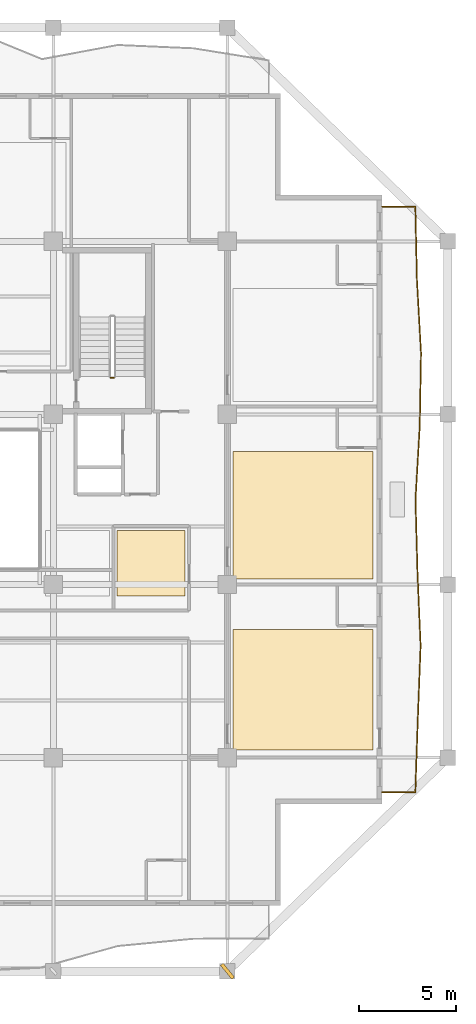
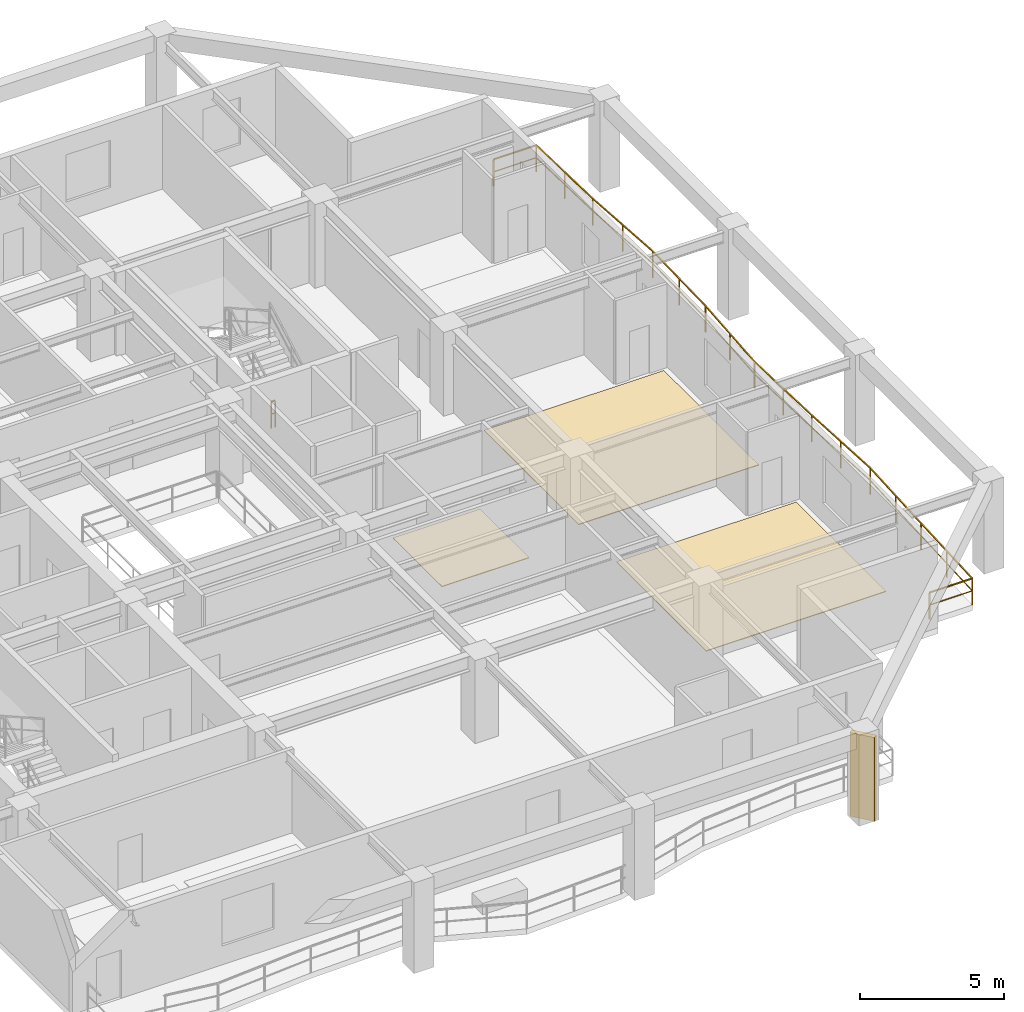
# One storey, part 9 of 12: 3 coverings, 2 railings, 1 shading device.
"""IFC4 building model written with IfcOpenShell, lengths in metres."""

from ifc_helpers import new_model, si_unit, direction, frame, origin, origin_2d, place, context, subcontext, project, spatial, polyline, rectangle, outline, extrude, material, layer, layer_set, type_object, element, save


model = new_model("IFC4")

# Units and contexts
model_context = context("Model", 3, precision=1e-05, world=origin(), true_north=direction((0.0, 1.0)))
body_context = subcontext(model_context, "Body", "Model", "MODEL_VIEW")
ifc_project = project(units=[si_unit("LENGTHUNIT", "METRE"), si_unit("AREAUNIT", "SQUARE_METRE"), si_unit("VOLUMEUNIT", "CUBIC_METRE"), si_unit("PLANEANGLEUNIT", "RADIAN"), si_unit("MASSUNIT", "GRAM", prefix="KILO")], contexts=[model_context])

# Site, building, storey
site_placement = place(None, origin())
site = spatial("IfcSite", under=ifc_project, at=site_placement, CompositionType="ELEMENT")
building_placement = place(site_placement, origin())
building = spatial("IfcBuilding", under=site, at=building_placement, Name="Kundavana Baori Tower", CompositionType="ELEMENT")
storey_placement = place(building_placement, frame((0.0, 0.0, 200.25)))
storey = spatial("IfcBuildingStorey", under=building, at=storey_placement, Name="L49", CompositionType="ELEMENT", Elevation=200.25)

# Coverings
ifc_material_1 = material(Name="Honed Kota Stone and Terrazzo Flooring", Category="masonry")
ifc_layer = layer(ifc_material_1, 0.030029296875, Name="COV-INT-FLR")
ifc_layer_set = layer_set([ifc_layer], Name="Honed Kota Stone and Terrazzo Flooring")
covering_type = type_object("IfcCoveringType", Name="COV-INT-FLR", PredefinedType="FLOORING", material=ifc_layer_set)
covering_1_placement = place(storey_placement, origin())
element("IfcCovering", 1, at=covering_1_placement, inside=storey, type_object=covering_type, Name="L49 Room Finished Stone Flooring 4", PredefinedType="FLOORING", context=body_context, shape_type="SweptSolid", body=[
    extrude(outline(polyline([(43.10009765625, 15.6298828125), (50.320068359375, 15.6298828125), (50.320068359375, 21.8701171875), (43.10009765625, 21.8701171875), (43.10009765625, 15.6298828125)])), origin(), (0.0, 0.0, 1.0), 0.030029296875),
])
covering_2_placement = place(storey_placement, origin())
element("IfcCovering", 2, at=covering_2_placement, inside=storey, type_object=covering_type, Name="L49 Room Finished Stone Flooring 5", PredefinedType="FLOORING", context=body_context, shape_type="SweptSolid", body=[
    extrude(outline(polyline([(43.10009765625, 24.47998046875), (50.320068359375, 24.47998046875), (50.320068359375, 31.070068359375), (43.10009765625, 31.070068359375), (43.10009765625, 24.47998046875)])), origin(), (0.0, 0.0, 1.0), 0.030029296875),
])
covering_3_placement = place(storey_placement, origin())
element("IfcCovering", 3, at=covering_3_placement, inside=storey, type_object=covering_type, Name="L49 Room Finished Stone Flooring 14", PredefinedType="FLOORING", context=body_context, shape_type="SweptSolid", body=[
    extrude(outline(polyline([(37.10009765625, 23.60009765625), (40.60009765625, 23.60009765625), (40.60009765625, 27.0), (37.10009765625, 27.0), (37.10009765625, 23.60009765625)])), origin(), (0.0, 0.0, 1.0), 0.030029296875),
])

# Railings
ifc_material_2 = material(Name="Architectural Patinated Bronze Metalwork")
railing_type_1 = type_object("IfcRailingType", Name="RL-BAL-1150", PredefinedType="BALUSTRADE", material=ifc_material_2)
railing_1_placement = place(storey_placement, frame((50.800048828125, 43.75, 0.0)))
element("IfcRailing", 4, at=railing_1_placement, inside=storey, type_object=railing_type_1, Name="L49 Loggia Balcony Balustrade E", PredefinedType="BALUSTRADE", context=body_context, shape_type="SweptSolid", body=[
    extrude(rectangle(XDim=0.048095703125, YDim=0.048095703125, at=origin_2d()), frame((0.0, 0.0, 1.1259765625), z_axis=(1.0, 0.0, 0.0), x_axis=(0.0, 1.0, 0.0)), (0.0, 0.0, 1.0), 1.719970703125),
    extrude(rectangle(XDim=0.03125, YDim=0.03125, at=origin_2d()), frame((0.0, 0.0, 0.597900390625), z_axis=(1.0, 0.0, 0.0), x_axis=(0.0, 1.0, 0.0)), (0.0, 0.0, 1.0), 1.719970703125),
    extrude(rectangle(XDim=0.048095703125, YDim=0.048095703125, at=origin_2d()), frame((1.719970703125, 0.0, 1.1259765625), z_axis=(0.022422821911, -0.999748576922, 0.0), x_axis=(0.999748576922, 0.022422821911, 0.0)), (0.0, 0.0, 1.0), 3.7890625),
    extrude(rectangle(XDim=0.03125, YDim=0.03125, at=origin_2d()), frame((1.719970703125, 0.0, 0.597900390625), z_axis=(0.022422821911, -0.999748576922, 0.0), x_axis=(0.999748576922, 0.022422821911, 0.0)), (0.0, 0.0, 1.0), 3.7890625),
    extrude(rectangle(XDim=0.048095703125, YDim=0.048095703125, at=origin_2d()), frame((1.804931640625, -3.7880859375, 1.1259765625), z_axis=(0.055872870187, -0.998437891096, 0.0), x_axis=(0.998437891096, 0.055872870187, 0.0)), (0.0, 0.0, 1.0), 3.792724609375),
    extrude(rectangle(XDim=0.03125, YDim=0.03125, at=origin_2d()), frame((1.804931640625, -3.7880859375, 0.597900390625), z_axis=(0.055872870187, -0.998437891096, 0.0), x_axis=(0.998437891096, 0.055872870187, 0.0)), (0.0, 0.0, 1.0), 3.792724609375),
    extrude(rectangle(XDim=0.048095703125, YDim=0.048095703125, at=origin_2d()), frame((2.016845703125, -7.574951171875, 1.1259765625), z_axis=(-0.017660989229, -0.999844032567, 0.0), x_axis=(0.999844032567, -0.017660989229, 0.0)), (0.0, 0.0, 1.0), 3.78759765625),
    extrude(rectangle(XDim=0.03125, YDim=0.03125, at=origin_2d()), frame((2.016845703125, -7.574951171875, 0.597900390625), z_axis=(-0.017660989229, -0.999844032567, 0.0), x_axis=(0.999844032567, -0.017660989229, 0.0)), (0.0, 0.0, 1.0), 3.78759765625),
    extrude(rectangle(XDim=0.048095703125, YDim=0.048095703125, at=origin_2d()), frame((1.949951171875, -11.362060546875, 1.1259765625), z_axis=(-0.057975155756, -0.99831802614, 0.0), x_axis=(0.99831802614, -0.057975155756, 0.0)), (0.0, 0.0, 1.0), 3.794189453125),
    extrude(rectangle(XDim=0.03125, YDim=0.03125, at=origin_2d()), frame((1.949951171875, -11.362060546875, 0.597900390625), z_axis=(-0.057975155756, -0.99831802614, 0.0), x_axis=(0.99831802614, -0.057975155756, 0.0)), (0.0, 0.0, 1.0), 3.794189453125),
    extrude(rectangle(XDim=0.048095703125, YDim=0.048095703125, at=origin_2d()), frame((1.72998046875, -15.14990234375, 1.1259765625), z_axis=(0.027445187549, -0.999623309892, 0.0), x_axis=(0.999623309892, 0.027445187549, 0.0)), (0.0, 0.0, 1.0), 3.78955078125),
    extrude(rectangle(XDim=0.03125, YDim=0.03125, at=origin_2d()), frame((1.72998046875, -15.14990234375, 0.597900390625), z_axis=(0.027445187549, -0.999623309892, 0.0), x_axis=(0.999623309892, 0.027445187549, 0.0)), (0.0, 0.0, 1.0), 3.78955078125),
    extrude(rectangle(XDim=0.048095703125, YDim=0.048095703125, at=origin_2d()), frame((1.833984375, -18.93798828125, 1.1259765625), z_axis=(0.042444953181, -0.9990988069, 0.0), x_axis=(0.9990988069, 0.042444953181, 0.0)), (0.0, 0.0, 1.0), 3.79052734375),
    extrude(rectangle(XDim=0.03125, YDim=0.03125, at=origin_2d()), frame((1.833984375, -18.93798828125, 0.597900390625), z_axis=(0.042444953181, -0.9990988069, 0.0), x_axis=(0.9990988069, 0.042444953181, 0.0)), (0.0, 0.0, 1.0), 3.79052734375),
    extrude(rectangle(XDim=0.048095703125, YDim=0.048095703125, at=origin_2d()), frame((1.994873046875, -22.72509765625, 1.1259765625), z_axis=(-0.03826735328, -0.999267536585, 0.0), x_axis=(0.999267536585, -0.03826735328, 0.0)), (0.0, 0.0, 1.0), 3.78955078125),
    extrude(rectangle(XDim=0.03125, YDim=0.03125, at=origin_2d()), frame((1.994873046875, -22.72509765625, 0.597900390625), z_axis=(-0.03826735328, -0.999267536585, 0.0), x_axis=(0.999267536585, -0.03826735328, 0.0)), (0.0, 0.0, 1.0), 3.78955078125),
    extrude(rectangle(XDim=0.048095703125, YDim=0.048095703125, at=origin_2d()), frame((1.849853515625, -26.511962890625, 1.1259765625), z_axis=(-0.034267050971, -0.999412712155, 0.0), x_axis=(0.999412712155, -0.034267050971, 0.0)), (0.0, 0.0, 1.0), 3.790283203125),
    extrude(rectangle(XDim=0.03125, YDim=0.03125, at=origin_2d()), frame((1.849853515625, -26.511962890625, 0.597900390625), z_axis=(-0.034267050971, -0.999412712155, 0.0), x_axis=(0.999412712155, -0.034267050971, 0.0)), (0.0, 0.0, 1.0), 3.790283203125),
    extrude(rectangle(XDim=0.048095703125, YDim=0.048095703125, at=origin_2d()), frame((1.719970703125, -30.300048828125, 1.1259765625), z_axis=(-1.0, 0.0, 0.0), x_axis=(0.0, -1.0, 0.0)), (0.0, 0.0, 1.0), 1.719970703125),
    extrude(rectangle(XDim=0.03125, YDim=0.03125, at=origin_2d()), frame((1.719970703125, -30.300048828125, 0.597900390625), z_axis=(-1.0, 0.0, 0.0), x_axis=(0.0, -1.0, 0.0)), (0.0, 0.0, 1.0), 1.719970703125),
    extrude(rectangle(XDim=0.0419921875, YDim=0.0419921875, at=origin_2d()), origin(), (0.0, 0.0, 1.0), 1.101806640625),
    extrude(rectangle(XDim=0.0419921875, YDim=0.0419921875, at=origin_2d()), frame((1.719970703125, 0.0, 0.0)), (0.0, 0.0, 1.0), 1.101806640625),
    extrude(rectangle(XDim=0.0419921875, YDim=0.0419921875, at=origin_2d()), frame((1.762451171875, -1.89404296875, 0.0)), (0.0, 0.0, 1.0), 1.101806640625),
    extrude(rectangle(XDim=0.0419921875, YDim=0.0419921875, at=origin_2d()), frame((1.804931640625, -3.7880859375, 0.0)), (0.0, 0.0, 1.0), 1.101806640625),
    extrude(rectangle(XDim=0.0419921875, YDim=0.0419921875, at=origin_2d()), frame((1.910888671875, -5.681640625, 0.0)), (0.0, 0.0, 1.0), 1.101806640625),
    extrude(rectangle(XDim=0.0419921875, YDim=0.0419921875, at=origin_2d()), frame((2.016845703125, -7.574951171875, 0.0)), (0.0, 0.0, 1.0), 1.101806640625),
    extrude(rectangle(XDim=0.0419921875, YDim=0.0419921875, at=origin_2d()), frame((1.9833984375, -9.468505859375, 0.0)), (0.0, 0.0, 1.0), 1.101806640625),
    extrude(rectangle(XDim=0.0419921875, YDim=0.0419921875, at=origin_2d()), frame((1.949951171875, -11.362060546875, 0.0)), (0.0, 0.0, 1.0), 1.101806640625),
    extrude(rectangle(XDim=0.0419921875, YDim=0.0419921875, at=origin_2d()), frame((1.83984375, -13.255859375, 0.0)), (0.0, 0.0, 1.0), 1.101806640625),
    extrude(rectangle(XDim=0.0419921875, YDim=0.0419921875, at=origin_2d()), frame((1.72998046875, -15.14990234375, 0.0)), (0.0, 0.0, 1.0), 1.101806640625),
    extrude(rectangle(XDim=0.0419921875, YDim=0.0419921875, at=origin_2d()), frame((1.781982421875, -17.0439453125, 0.0)), (0.0, 0.0, 1.0), 1.101806640625),
    extrude(rectangle(XDim=0.0419921875, YDim=0.0419921875, at=origin_2d()), frame((1.833984375, -18.93798828125, 0.0)), (0.0, 0.0, 1.0), 1.101806640625),
    extrude(rectangle(XDim=0.0419921875, YDim=0.0419921875, at=origin_2d()), frame((1.91455078125, -20.83154296875, 0.0)), (0.0, 0.0, 1.0), 1.101806640625),
    extrude(rectangle(XDim=0.0419921875, YDim=0.0419921875, at=origin_2d()), frame((1.994873046875, -22.72509765625, 0.0)), (0.0, 0.0, 1.0), 1.101806640625),
    extrude(rectangle(XDim=0.0419921875, YDim=0.0419921875, at=origin_2d()), frame((1.92236328125, -24.61865234375, 0.0)), (0.0, 0.0, 1.0), 1.101806640625),
    extrude(rectangle(XDim=0.0419921875, YDim=0.0419921875, at=origin_2d()), frame((1.849853515625, -26.511962890625, 0.0)), (0.0, 0.0, 1.0), 1.101806640625),
    extrude(rectangle(XDim=0.0419921875, YDim=0.0419921875, at=origin_2d()), frame((1.784912109375, -28.406005859375, 0.0)), (0.0, 0.0, 1.0), 1.101806640625),
    extrude(rectangle(XDim=0.0419921875, YDim=0.0419921875, at=origin_2d()), frame((1.719970703125, -30.300048828125, 0.0)), (0.0, 0.0, 1.0), 1.101806640625),
    extrude(rectangle(XDim=0.0419921875, YDim=0.0419921875, at=origin_2d()), frame((0.0, -30.300048828125, 0.0)), (0.0, 0.0, 1.0), 1.101806640625),
])
ifc_material_3 = material(Name="Architectural Patinated Bronze Metalwork")
railing_type_2 = type_object("IfcRailingType", Name="RL-GRD-1150", PredefinedType="GUARDRAIL", material=ifc_material_3)
railing_2_placement = place(storey_placement, frame((36.929931640625, 34.89990234375, 0.0)))
element("IfcRailing", 5, at=railing_2_placement, inside=storey, type_object=railing_type_2, Name="L49 ST3 stair guard 4", PredefinedType="GUARDRAIL", context=body_context, shape_type="SweptSolid", body=[
    extrude(rectangle(XDim=0.048095703125, YDim=0.048095703125, at=origin_2d()), frame((0.0, 0.0, 1.1259765625), z_axis=(-1.0, 0.0, 0.0), x_axis=(0.0, -1.0, 0.0)), (0.0, 0.0, 1.0), 0.159912109375),
    extrude(rectangle(XDim=0.03125, YDim=0.03125, at=origin_2d()), frame((0.0, 0.0, 0.597900390625), z_axis=(-1.0, 0.0, 0.0), x_axis=(0.0, -1.0, 0.0)), (0.0, 0.0, 1.0), 0.159912109375),
    extrude(rectangle(XDim=0.0419921875, YDim=0.0419921875, at=origin_2d()), origin(), (0.0, 0.0, 1.0), 1.101806640625),
    extrude(rectangle(XDim=0.0419921875, YDim=0.0419921875, at=origin_2d()), frame((-0.159912109375, 0.0, 0.0)), (0.0, 0.0, 1.0), 1.101806640625),
])

# Shading device
ifc_material_4 = material(Name="Red-Buff Dholpur Sandstone Cladding on Concrete C40/50", Category="masonry")
shading_device_type = type_object("IfcShadingDeviceType", Name="SHD-FIN-920", PredefinedType="JALOUSIE", material=ifc_material_4)
shading_device_placement = place(storey_placement, frame((42.800048828125, 4.199951171875, 0.0), z_axis=(0.0, 0.0, 1.0), x_axis=(0.772179372467, 0.635404608684, 0.0)))
element("IfcShadingDevice", 6, at=shading_device_placement, inside=storey, type_object=shading_device_type, Name="L49 Sweeping Dholpur Sandstone Facade Fin 4", PredefinedType="JALOUSIE", context=body_context, shape_type="SweptSolid", body=[
    extrude(rectangle(XDim=0.179931640625, YDim=0.919921875, at=origin_2d()), origin(), (0.0, 0.0, 1.0), 3.550048828125),
])

save(model, "model.ifc")
